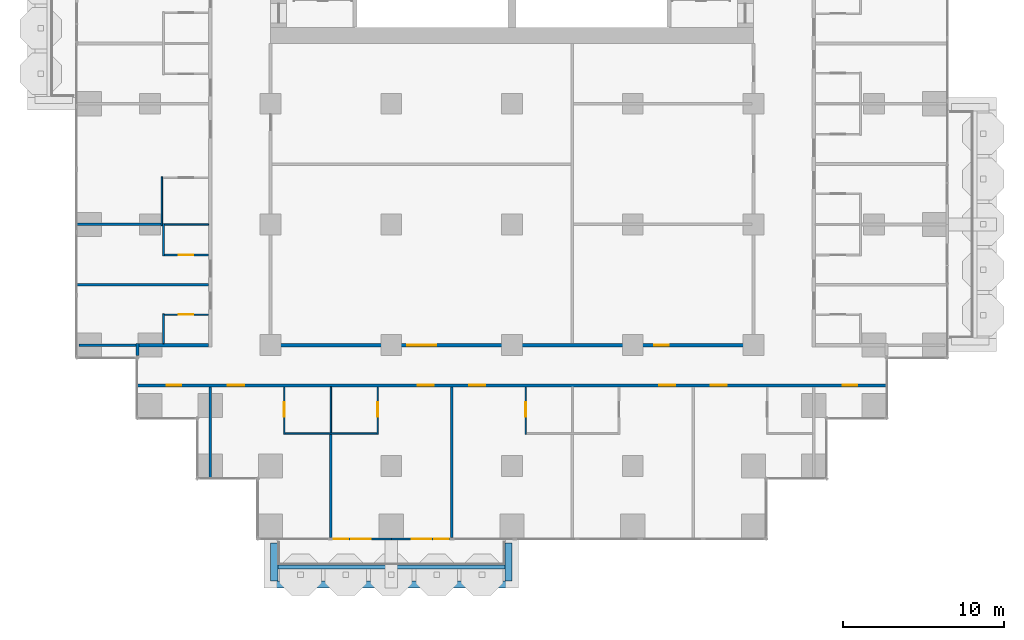
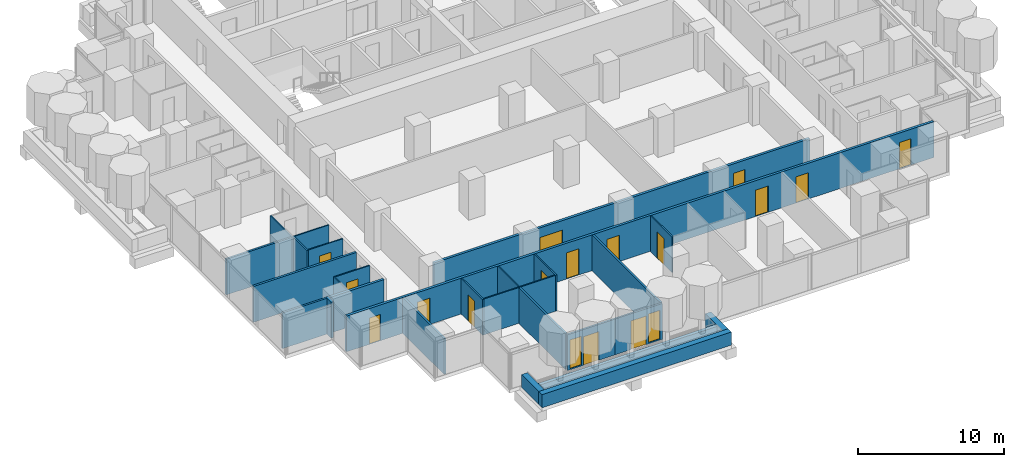
# One storey, part 10 of 18: 27 walls, 16 doors, 2 windows, 18 openings.
"""IFC4 building model written with IfcOpenShell, lengths in metres."""

import ifcopenshell
import ifcopenshell.guid

model = None  # the IFC model being written
_history = None  # IfcOwnerHistory: only IFC2X3 demands one
_inside = {}  # id of a spatial element -> (the spatial element, [elements in it])
_under = {}  # id of a project, library or spatial element -> (it, [spatial elements below it])
_declared = {}  # id of a project -> (the project, [libraries it declares])
_typed = {}  # id of a type object -> (the type object, [elements of that type])
_made_of = {}  # id of a material, layer set ... -> (it, [elements and type objects made of it])


def new_model(schema):
    """Start an empty IFC model of exactly this schema.

    Asked for "IFC4X3", IfcOpenShell would pick the latest addendum, in which some entities
    have other attributes; the version numbers below select the first issue.
    IFC2X3 requires an IfcOwnerHistory on every rooted entity: one is made here for all.
    """
    global model, _history
    if schema == "IFC4X3":
        model = ifcopenshell.file(schema_version=(4, 3, 0, 0))
    else:
        model = ifcopenshell.file(schema=schema)
    _inside.clear()
    _under.clear()
    _declared.clear()
    _typed.clear()
    _made_of.clear()
    _history = None
    if model.schema == "IFC2X3":
        org = make("IfcOrganization", Name="unknown")
        user = make(
            "IfcPersonAndOrganization",
            ThePerson=make("IfcPerson", FamilyName="unknown"),
            TheOrganization=org,
        )
        app = make(
            "IfcApplication",
            ApplicationDeveloper=org,
            Version="unknown",
            ApplicationFullName="unknown",
            ApplicationIdentifier="unknown",
        )
        _history = make(
            "IfcOwnerHistory",
            OwningUser=user,
            OwningApplication=app,
            ChangeAction="ADDED",
            CreationDate=0,
        )
    return model


def make(cls, **values):
    """One entity of the class cls with the attributes given. An attribute that is None is left unset."""
    return model.create_entity(
        cls, **{name: value for name, value in values.items() if value is not None}
    )


def rooted(cls, **values):
    """An entity with a GlobalId (a new one), such as an element, a storey or a relation."""
    return make(cls, GlobalId=ifcopenshell.guid.new(), OwnerHistory=_history, **values)


def si_unit(unit_type, name, prefix=None):
    """IfcSIUnit, for example si_unit("LENGTHUNIT", "METRE", prefix="MILLI")."""
    return make("IfcSIUnit", UnitType=unit_type, Prefix=prefix, Name=name)


def assignment(units):
    """IfcUnitAssignment: the units of a project."""
    return None if units is None else make("IfcUnitAssignment", Units=units)


def point(xyz):
    """IfcCartesianPoint."""
    return None if xyz is None else make("IfcCartesianPoint", Coordinates=xyz)


def direction(xyz):
    """IfcDirection."""
    return None if xyz is None else make("IfcDirection", DirectionRatios=xyz)


def frame(location, z_axis=None, x_axis=None):
    """IfcAxis2Placement3D, a coordinate frame: its origin and axes. An axis left out is left unset."""
    return make(
        "IfcAxis2Placement3D",
        Location=point(location),
        Axis=direction(z_axis),
        RefDirection=direction(x_axis),
    )


def frame_2d(location, x_axis=None):
    """IfcAxis2Placement2D, a coordinate frame in the plane: its origin and x axis."""
    return make(
        "IfcAxis2Placement2D", Location=point(location), RefDirection=direction(x_axis)
    )


def origin():
    """The frame at (0, 0, 0) with its axes left unset."""
    return frame((0.0, 0.0, 0.0))


def place(relative_to, where):
    """IfcLocalPlacement: puts the frame where relative to a parent placement (None: the world)."""
    return make(
        "IfcLocalPlacement", PlacementRelTo=relative_to, RelativePlacement=where
    )


def context(
    kind, dimensions, precision=None, world=None, true_north=None, identifier=None
):
    """IfcGeometricRepresentationContext, for example the 3D "Model" context."""
    return make(
        "IfcGeometricRepresentationContext",
        ContextIdentifier=identifier,
        ContextType=kind,
        CoordinateSpaceDimension=dimensions,
        Precision=precision,
        WorldCoordinateSystem=world,
        TrueNorth=true_north,
    )


def subcontext(parent, identifier, kind, view, scale=None):
    """IfcGeometricRepresentationSubContext, for example "Body" below "Model"."""
    return make(
        "IfcGeometricRepresentationSubContext",
        ContextIdentifier=identifier,
        ContextType=kind,
        ParentContext=parent,
        TargetScale=scale,
        TargetView=view,
    )


def project(units=None, contexts=None):
    """IfcProject with its units and contexts."""
    return rooted(
        "IfcProject",
        Name="project",
        RepresentationContexts=contexts,
        UnitsInContext=assignment(units),
    )


def spatial(cls, under=None, at=None, **own):
    """A site, building, storey or space (cls), placed at a placement, below another one or the project."""
    s = rooted(cls, ObjectPlacement=at, **own)
    if under is not None:
        _under.setdefault(under.id(), (under, []))[1].append(s)
    return s


def profile(cls, at=None, kind="AREA", **sizes):
    """A parametric profile (cls). Its sizes go by their IFC names, for example OverallWidth=200.0."""
    return make(cls, ProfileType=kind, Position=at, **sizes)


def rectangle(**sizes):
    """IfcRectangleProfileDef."""
    return profile("IfcRectangleProfileDef", **sizes)


def extrude(swept, where, along, depth):
    """IfcExtrudedAreaSolid: the profile swept, set in the frame where, extruded along a direction by depth."""
    return make(
        "IfcExtrudedAreaSolid",
        SweptArea=swept,
        Position=where,
        ExtrudedDirection=direction(along),
        Depth=depth,
    )


def shape(context_of_items, identifier, shape_type, items):
    """IfcShapeRepresentation: the items that make up one representation, for example the "Body"."""
    return make(
        "IfcShapeRepresentation",
        ContextOfItems=context_of_items,
        RepresentationIdentifier=identifier,
        RepresentationType=shape_type,
        Items=items,
    )


def material(Name=None, Category=None):
    """IfcMaterial."""
    return make("IfcMaterial", Name=Name, Category=Category)


def layer(
    of_material, thickness, ventilated=None, Name=None, Category=None, Priority=None
):
    """IfcMaterialLayer: one layer of a wall or slab, of a material (None: an air gap)."""
    return make(
        "IfcMaterialLayer",
        Material=of_material,
        LayerThickness=thickness,
        IsVentilated=ventilated,
        Name=Name,
        Category=Category,
        Priority=Priority,
    )


def layer_set(layers, Name=None):
    """IfcMaterialLayerSet."""
    return make("IfcMaterialLayerSet", MaterialLayers=layers, LayerSetName=Name)


def made_of(thing, what):
    """Note that an element or type object is made of a material, layer set ...; save() writes the relation."""
    if what is not None:
        _made_of.setdefault(what.id(), (what, []))[1].append(thing)
    return thing


def type_object(cls, material=None, **own):
    """A type object (cls), such as IfcWallType, which elements share."""
    return made_of(rooted(cls, **own), material)


def element(
    cls,
    number,
    at=None,
    inside=None,
    cuts=None,
    type_object=None,
    material=None,
    context=None,
    identifier="Body",
    shape_type=None,
    held_by="IfcProductDefinitionShape",
    body=None,
    shapes=None,
    **own,
):
    """One element of the class cls, such as IfcWall. Its Tag is "e" and its number.

    at: its placement. inside: the storey or other place that contains it. cuts: it is an
    opening in that element (IfcRelVoidsElement). A single representation is given by context,
    identifier, shape_type and body (its items); several are given by shapes. held_by: the class
    of the entity that holds the representations. save() writes the other relations.
    """
    e = rooted(cls, Tag="e%d" % number, ObjectPlacement=at, **own)
    if body is not None:
        shapes = [shape(context, identifier, shape_type, body)]
    if shapes is not None:
        e.Representation = make(held_by, Representations=shapes)
    if inside is not None:
        _inside.setdefault(inside.id(), (inside, []))[1].append(e)
    if cuts is not None:
        rooted(
            "IfcRelVoidsElement", RelatingBuildingElement=cuts, RelatedOpeningElement=e
        )
    if type_object is not None:
        _typed.setdefault(type_object.id(), (type_object, []))[1].append(e)
    return made_of(e, material)


def fill(opening, filler):
    """IfcRelFillsElement: the door or window that sits in an opening."""
    return rooted(
        "IfcRelFillsElement",
        RelatingOpeningElement=opening,
        RelatedBuildingElement=filler,
    )


def aggregate(whole, parts):
    """IfcRelAggregates: a whole, such as a stair, and the parts it consists of."""
    return rooted("IfcRelAggregates", RelatingObject=whole, RelatedObjects=parts)


def save(model, path):
    """Write the relations noted so far, then the file.

    IfcRelAggregates (storeys below a building ...), IfcRelContainedInSpatialStructure (elements
    in a storey), IfcRelDefinesByType, IfcRelAssociatesMaterial and IfcRelDeclares: one each for
    every whole, place, type object, material and project.
    """
    for whole, parts in _under.values():
        aggregate(whole, parts)
    for where, things in _inside.values():
        rooted(
            "IfcRelContainedInSpatialStructure",
            RelatedElements=things,
            RelatingStructure=where,
        )
    for kind, things in _typed.values():
        rooted("IfcRelDefinesByType", RelatedObjects=things, RelatingType=kind)
    for what, things in _made_of.values():
        rooted("IfcRelAssociatesMaterial", RelatedObjects=things, RelatingMaterial=what)
    for by, libraries in _declared.values():
        rooted("IfcRelDeclares", RelatingContext=by, RelatedDefinitions=libraries)
    model.write(path)


model = new_model("IFC4")

# Units and contexts
model_context = context("Model", 3, precision=1e-05, world=origin(), true_north=direction((0.0, 1.0)))
body_context = subcontext(model_context, "Body", "Model", "MODEL_VIEW")
ifc_project = project(units=[si_unit("LENGTHUNIT", "METRE"), si_unit("AREAUNIT", "SQUARE_METRE"), si_unit("VOLUMEUNIT", "CUBIC_METRE"), si_unit("PLANEANGLEUNIT", "RADIAN"), si_unit("MASSUNIT", "GRAM", prefix="KILO")], contexts=[model_context])

# Site, building, storey
site_placement = place(None, origin())
site = spatial("IfcSite", under=ifc_project, at=site_placement, CompositionType="ELEMENT")
building_placement = place(site_placement, origin())
building = spatial("IfcBuilding", under=site, at=building_placement, Name="Pilkhan Gate Tower", CompositionType="ELEMENT")
storey_placement = place(building_placement, frame((0.0, 0.0, 82.39990234375)))
storey = spatial("IfcBuildingStorey", under=building, at=storey_placement, Name="L19", CompositionType="ELEMENT", Elevation=82.39990234375)

# Walls
ifc_material_1 = material(Name="Dense blockwork", Category="masonry")
ifc_layer_1 = layer(ifc_material_1, 0.175048828125)
ifc_layer_set_1 = layer_set([ifc_layer_1], Name="Acoustic party wall PW175")
wall_type_1 = type_object("IfcWallType", Name="Acoustic party wall PW175", PredefinedType="PARTITIONING", material=ifc_layer_set_1)
wall_1_placement = place(storey_placement, frame((47.985107421875, 56.25, 0.0), z_axis=(0.0, 0.0, 1.0), x_axis=(1.0, 0.0, 0.0)))
element("IfcWall", 1, at=wall_1_placement, inside=storey, type_object=wall_type_1, Name="Partition L19", PredefinedType="PARTITIONING", context=body_context, shape_type="SweptSolid", body=[
    extrude(rectangle(XDim=8.164794921875, YDim=0.175048828125, at=frame_2d((4.08251953125, 0.0))), origin(), (0.0, 0.0, 1.0), 3.0),
])
ifc_material_2 = material(Name="Concrete C40/50", Category="concrete")
ifc_layer_2 = layer(ifc_material_2, 0.25)
ifc_layer_set_2 = layer_set([ifc_layer_2], Name="Balcony planter BP250")
wall_type_2 = type_object("IfcWallType", Name="Balcony planter BP250", PredefinedType="USERDEFINED", material=ifc_layer_set_2)
wall_2_placement = place(storey_placement, frame((60.449951171875, 38.72509765625, 0.0), z_axis=(0.0, 0.0, 1.0), x_axis=(1.0, 0.0, 0.0)))
element("IfcWall", 2, at=wall_2_placement, inside=storey, type_object=wall_type_2, Name="Balcony planter L19 S", ObjectType="BALCONY PLANTER", PredefinedType="USERDEFINED", context=body_context, shape_type="SweptSolid", body=[
    extrude(rectangle(XDim=14.10009765625, YDim=0.25, at=frame_2d((7.050048828125, 0.0))), origin(), (0.0, 0.0, 1.0), 1.0),
])
ifc_material_3 = material(Name="Board-marked Concrete C40/50", Category="concrete")
ifc_layer_3 = layer(ifc_material_3, 0.449951171875)
ifc_layer_set_3 = layer_set([ifc_layer_3], Name="Balcony planter lip BL450")
wall_type_3 = type_object("IfcWallType", Name="Balcony planter lip BL450", PredefinedType="USERDEFINED", material=ifc_layer_set_3)
wall_3_placement = place(storey_placement, frame((60.0, 37.625, 0.0), z_axis=(0.0, 0.0, 1.0), x_axis=(1.0, 0.0, 0.0)))
element("IfcWall", 3, at=wall_3_placement, inside=storey, type_object=wall_type_3, Name="Balcony planter L19 S", ObjectType="BALCONY PLANTER", PredefinedType="USERDEFINED", context=body_context, shape_type="SweptSolid", body=[
    extrude(rectangle(XDim=15.0, YDim=0.449951171875, at=frame_2d((7.5, 0.0))), origin(), (0.0, 0.0, 1.0), 1.10009765625),
])
for number, where, z_axis, x_axis, name in (
    (4, (60.22509765625, 40.199951171875, 0.0), (0.0, 0.0, 1.0), (0.0, -1.0, 0.0), "Balcony planter L19 S"),
    (5, (74.77490234375, 40.199951171875, 0.0), (0.0, 0.0, 1.0), (0.0, -1.0, 0.0), "Balcony planter L19 S"),
):
    element("IfcWall", number, at=place(storey_placement, frame(where, z_axis=z_axis, x_axis=x_axis)), inside=storey, type_object=wall_type_3, Name=name, ObjectType="BALCONY PLANTER", PredefinedType="USERDEFINED", context=body_context, shape_type="SweptSolid", body=[
        extrude(rectangle(XDim=2.349853515625, YDim=0.449951171875, at=frame_2d((1.1748046875, 0.0))), origin(), (0.0, 0.0, 1.0), 1.10009765625),
    ])

# Wall, openings, doors
ifc_layer_4 = layer(ifc_material_1, 0.199951171875)
ifc_layer_set_4 = layer_set([ifc_layer_4], Name="Corridor wall FW200")
wall_type_4 = type_object("IfcWallType", Name="Corridor wall FW200", PredefinedType="PARTITIONING", material=ifc_layer_set_4)
wall_4_placement = place(storey_placement, frame((51.735107421875, 50.0, 0.0), z_axis=(0.0, 0.0, 1.0), x_axis=(1.0, 0.0, 0.0)))
wall_4 = element("IfcWall", 6, at=wall_4_placement, inside=storey, type_object=wall_type_4, Name="Partition L19", PredefinedType="PARTITIONING", context=body_context, shape_type="SweptSolid", body=[
    extrude(rectangle(XDim=46.52978515625, YDim=0.199951171875, at=frame_2d((23.264892578125, 0.0))), origin(), (0.0, 0.0, 1.0), 3.0),
])
opening_1_placement = place(wall_4_placement, frame((5.614990234375, 0.0, 0.0)))
opening_1 = element("IfcOpeningElement", 7, at=opening_1_placement, cuts=wall_4, Name="Opening L19-06", PredefinedType="OPENING", context=body_context, shape_type="SweptSolid", body=[
    extrude(rectangle(XDim=1.0, YDim=2.199951171875, at=frame_2d((0.5, 1.10009765625))), frame((0.0, 0.10986328125, 0.0), z_axis=(0.0, -1.0, 0.0), x_axis=(1.0, 0.0, 0.0)), (0.0, 0.0, 1.0), 0.219970703125),
])
opening_2_placement = place(wall_4_placement, frame((17.4150390625, 0.0, 0.0)))
opening_2 = element("IfcOpeningElement", 8, at=opening_2_placement, cuts=wall_4, Name="Opening L19-08", PredefinedType="OPENING", context=body_context, shape_type="SweptSolid", body=[
    extrude(rectangle(XDim=1.0, YDim=2.199951171875, at=frame_2d((0.5, 1.10009765625))), frame((0.0, 0.10986328125, 0.0), z_axis=(0.0, -1.0, 0.0), x_axis=(1.0, 0.0, 0.0)), (0.0, 0.0, 1.0), 0.219970703125),
])
opening_3_placement = place(wall_4_placement, frame((20.614990234375, 0.0, 0.0)))
opening_3 = element("IfcOpeningElement", 9, at=opening_3_placement, cuts=wall_4, Name="Opening L19-10", PredefinedType="OPENING", context=body_context, shape_type="SweptSolid", body=[
    extrude(rectangle(XDim=1.0, YDim=2.199951171875, at=frame_2d((0.5, 1.10009765625))), frame((0.0, 0.10986328125, 0.0), z_axis=(0.0, -1.0, 0.0), x_axis=(1.0, 0.0, 0.0)), (0.0, 0.0, 1.0), 0.219970703125),
])
opening_4_placement = place(wall_4_placement, frame((32.4150390625, 0.0, 0.0)))
opening_4 = element("IfcOpeningElement", 10, at=opening_4_placement, cuts=wall_4, Name="Opening L19-12", PredefinedType="OPENING", context=body_context, shape_type="SweptSolid", body=[
    extrude(rectangle(XDim=1.0, YDim=2.199951171875, at=frame_2d((0.5, 1.10009765625))), frame((0.0, 0.10986328125, 0.0), z_axis=(0.0, -1.0, 0.0), x_axis=(1.0, 0.0, 0.0)), (0.0, 0.0, 1.0), 0.219970703125),
])
opening_5_placement = place(wall_4_placement, frame((35.614990234375, 0.0, 0.0)))
opening_5 = element("IfcOpeningElement", 11, at=opening_5_placement, cuts=wall_4, Name="Opening L19-14", PredefinedType="OPENING", context=body_context, shape_type="SweptSolid", body=[
    extrude(rectangle(XDim=1.0, YDim=2.199951171875, at=frame_2d((0.5, 1.10009765625))), frame((0.0, 0.10986328125, 0.0), z_axis=(0.0, -1.0, 0.0), x_axis=(1.0, 0.0, 0.0)), (0.0, 0.0, 1.0), 0.219970703125),
])
opening_6_placement = place(wall_4_placement, frame((1.800048828125, 0.0, 0.0)))
opening_6 = element("IfcOpeningElement", 12, at=opening_6_placement, cuts=wall_4, Name="Opening L19-50", PredefinedType="OPENING", context=body_context, shape_type="SweptSolid", body=[
    extrude(rectangle(XDim=0.89990234375, YDim=2.199951171875, at=frame_2d((0.449951171875, 1.10009765625))), frame((0.0, 0.10986328125, 0.0), z_axis=(0.0, -1.0, 0.0), x_axis=(1.0, 0.0, 0.0)), (0.0, 0.0, 1.0), 0.219970703125),
])
opening_7_placement = place(wall_4_placement, frame((43.81494140625, 0.0, 0.0)))
opening_7 = element("IfcOpeningElement", 13, at=opening_7_placement, cuts=wall_4, Name="Opening L19-51", PredefinedType="OPENING", context=body_context, shape_type="SweptSolid", body=[
    extrude(rectangle(XDim=0.89990234375, YDim=2.199951171875, at=frame_2d((0.449951171875, 1.10009765625))), frame((0.0, 0.10986328125, 0.0), z_axis=(0.0, -1.0, 0.0), x_axis=(1.0, 0.0, 0.0)), (0.0, 0.0, 1.0), 0.219970703125),
])
ifc_material_4 = material(Name="Timber flush door, 30 minute fire resisting", Category="wood")
door_type_1 = type_object("IfcDoorType", Name="Guest room door D01 1000x2200", OperationType="SINGLE_SWING_LEFT", PredefinedType="DOOR", material=ifc_material_4)
door_1_placement = place(opening_1_placement, origin())
door_1 = element("IfcDoor", 14, at=door_1_placement, inside=storey, type_object=door_type_1, Name="Guest room door", OperationType="SINGLE_SWING_RIGHT", OverallHeight=2.199951171875, OverallWidth=1.0, PredefinedType="DOOR", context=body_context, shape_type="SweptSolid", body=[
    extrude(rectangle(XDim=1.0, YDim=2.199951171875, at=frame_2d((0.5, 1.10009765625))), frame((0.0, 0.02490234375, 0.0), z_axis=(0.0, -1.0, 0.0), x_axis=(1.0, 0.0, 0.0)), (0.0, 0.0, 1.0), 0.050048828125),
])
fill(opening_1, door_1)
door_2_placement = place(opening_2_placement, origin())
door_2 = element("IfcDoor", 15, at=door_2_placement, inside=storey, type_object=door_type_1, Name="Guest room door", OperationType="SINGLE_SWING_LEFT", OverallHeight=2.199951171875, OverallWidth=1.0, PredefinedType="DOOR", context=body_context, shape_type="SweptSolid", body=[
    extrude(rectangle(XDim=1.0, YDim=2.199951171875, at=frame_2d((0.5, 1.10009765625))), frame((0.0, 0.02490234375, 0.0), z_axis=(0.0, -1.0, 0.0), x_axis=(1.0, 0.0, 0.0)), (0.0, 0.0, 1.0), 0.050048828125),
])
fill(opening_2, door_2)
door_3_placement = place(opening_3_placement, origin())
door_3 = element("IfcDoor", 16, at=door_3_placement, inside=storey, type_object=door_type_1, Name="Guest room door", OperationType="SINGLE_SWING_RIGHT", OverallHeight=2.199951171875, OverallWidth=1.0, PredefinedType="DOOR", context=body_context, shape_type="SweptSolid", body=[
    extrude(rectangle(XDim=1.0, YDim=2.199951171875, at=frame_2d((0.5, 1.10009765625))), frame((0.0, 0.02490234375, 0.0), z_axis=(0.0, -1.0, 0.0), x_axis=(1.0, 0.0, 0.0)), (0.0, 0.0, 1.0), 0.050048828125),
])
fill(opening_3, door_3)
door_4_placement = place(opening_4_placement, origin())
door_4 = element("IfcDoor", 17, at=door_4_placement, inside=storey, type_object=door_type_1, Name="Guest room door", OperationType="SINGLE_SWING_LEFT", OverallHeight=2.199951171875, OverallWidth=1.0, PredefinedType="DOOR", context=body_context, shape_type="SweptSolid", body=[
    extrude(rectangle(XDim=1.0, YDim=2.199951171875, at=frame_2d((0.5, 1.10009765625))), frame((0.0, 0.02490234375, 0.0), z_axis=(0.0, -1.0, 0.0), x_axis=(1.0, 0.0, 0.0)), (0.0, 0.0, 1.0), 0.050048828125),
])
fill(opening_4, door_4)
door_5_placement = place(opening_5_placement, origin())
door_5 = element("IfcDoor", 18, at=door_5_placement, inside=storey, type_object=door_type_1, Name="Guest room door", OperationType="SINGLE_SWING_LEFT", OverallHeight=2.199951171875, OverallWidth=1.0, PredefinedType="DOOR", context=body_context, shape_type="SweptSolid", body=[
    extrude(rectangle(XDim=1.0, YDim=2.199951171875, at=frame_2d((0.5, 1.10009765625))), frame((0.0, 0.02490234375, 0.0), z_axis=(0.0, -1.0, 0.0), x_axis=(1.0, 0.0, 0.0)), (0.0, 0.0, 1.0), 0.050048828125),
])
fill(opening_5, door_5)
ifc_material_5 = material(Name="Timber flush door, 60 minute fire resisting, self-closing", Category="wood")
door_type_2 = type_object("IfcDoorType", Name="Store door D05 900x2200", OperationType="SINGLE_SWING_LEFT", PredefinedType="DOOR", material=ifc_material_5)
door_6_placement = place(opening_6_placement, origin())
door_6 = element("IfcDoor", 19, at=door_6_placement, inside=storey, type_object=door_type_2, Name="Store door", OperationType="SINGLE_SWING_LEFT", OverallHeight=2.199951171875, OverallWidth=0.89990234375, PredefinedType="DOOR", context=body_context, shape_type="SweptSolid", body=[
    extrude(rectangle(XDim=0.89990234375, YDim=2.199951171875, at=frame_2d((0.449951171875, 1.10009765625))), frame((0.0, 0.02490234375, 0.0), z_axis=(0.0, -1.0, 0.0), x_axis=(1.0, 0.0, 0.0)), (0.0, 0.0, 1.0), 0.050048828125),
])
fill(opening_6, door_6)
door_7_placement = place(opening_7_placement, origin())
door_7 = element("IfcDoor", 20, at=door_7_placement, inside=storey, type_object=door_type_2, Name="Store door", OperationType="SINGLE_SWING_RIGHT", OverallHeight=2.199951171875, OverallWidth=0.89990234375, PredefinedType="DOOR", context=body_context, shape_type="SweptSolid", body=[
    extrude(rectangle(XDim=0.89990234375, YDim=2.199951171875, at=frame_2d((0.449951171875, 1.10009765625))), frame((0.0, 0.02490234375, 0.0), z_axis=(0.0, -1.0, 0.0), x_axis=(1.0, 0.0, 0.0)), (0.0, 0.0, 1.0), 0.050048828125),
])
fill(opening_7, door_7)

# Wall
wall_5_placement = place(storey_placement, frame((51.8349609375, 52.5, 0.0), z_axis=(0.0, 0.0, 1.0), x_axis=(1.0, 0.0, 0.0)))
element("IfcWall", 21, at=wall_5_placement, inside=storey, type_object=wall_type_4, Name="Partition L19", PredefinedType="PARTITIONING", context=body_context, shape_type="SweptSolid", body=[
    extrude(rectangle(XDim=4.31494140625, YDim=0.199951171875, at=frame_2d((2.157470703125, 0.0))), origin(), (0.0, 0.0, 1.0), 3.0),
])

# Wall, openings, doors
wall_6_placement = place(storey_placement, frame((60.10009765625, 52.5, 0.0), z_axis=(0.0, 0.0, 1.0), x_axis=(1.0, 0.0, 0.0)))
wall_6 = element("IfcWall", 22, at=wall_6_placement, inside=storey, type_object=wall_type_4, Name="Partition L19", PredefinedType="PARTITIONING", context=body_context, shape_type="SweptSolid", body=[
    extrude(rectangle(XDim=29.7998046875, YDim=0.199951171875, at=frame_2d((14.89990234375, 0.0))), origin(), (0.0, 0.0, 1.0), 3.0),
])
opening_8_placement = place(wall_6_placement, frame((8.39990234375, 0.0, 0.0)))
opening_8 = element("IfcOpeningElement", 23, at=opening_8_placement, cuts=wall_6, Name="Opening L19-55", PredefinedType="OPENING", context=body_context, shape_type="SweptSolid", body=[
    extrude(rectangle(XDim=1.800048828125, YDim=2.199951171875, at=frame_2d((0.89990234375, 1.10009765625))), frame((0.0, 0.10986328125, 0.0), z_axis=(0.0, -1.0, 0.0), x_axis=(1.0, 0.0, 0.0)), (0.0, 0.0, 1.0), 0.219970703125),
])
opening_9_placement = place(wall_6_placement, frame((23.75, 0.0, 0.0)))
opening_9 = element("IfcOpeningElement", 24, at=opening_9_placement, cuts=wall_6, Name="Opening L19-56", PredefinedType="OPENING", context=body_context, shape_type="SweptSolid", body=[
    extrude(rectangle(XDim=0.89990234375, YDim=2.199951171875, at=frame_2d((0.449951171875, 1.10009765625))), frame((0.0, 0.10986328125, 0.0), z_axis=(0.0, -1.0, 0.0), x_axis=(1.0, 0.0, 0.0)), (0.0, 0.0, 1.0), 0.219970703125),
])
ifc_material_6 = material(Name="Timber glazed double door, 30 minute fire resisting", Category="wood")
door_type_3 = type_object("IfcDoorType", Name="Double door D04 1800x2200", OperationType="DOUBLE_DOOR_SINGLE_SWING", PredefinedType="DOOR", material=ifc_material_6)
door_8_placement = place(opening_8_placement, origin())
door_8 = element("IfcDoor", 25, at=door_8_placement, inside=storey, type_object=door_type_3, Name="Double door", OperationType="DOUBLE_DOOR_SINGLE_SWING", OverallHeight=2.199951171875, OverallWidth=1.800048828125, PredefinedType="DOOR", context=body_context, shape_type="SweptSolid", body=[
    extrude(rectangle(XDim=1.800048828125, YDim=2.199951171875, at=frame_2d((0.89990234375, 1.10009765625))), frame((0.0, 0.02490234375, 0.0), z_axis=(0.0, -1.0, 0.0), x_axis=(1.0, 0.0, 0.0)), (0.0, 0.0, 1.0), 0.050048828125),
])
fill(opening_8, door_8)
door_9_placement = place(opening_9_placement, origin())
door_9 = element("IfcDoor", 26, at=door_9_placement, inside=storey, type_object=door_type_2, Name="Store door", OperationType="SINGLE_SWING_LEFT", OverallHeight=2.199951171875, OverallWidth=0.89990234375, PredefinedType="DOOR", context=body_context, shape_type="SweptSolid", body=[
    extrude(rectangle(XDim=0.89990234375, YDim=2.199951171875, at=frame_2d((0.449951171875, 1.10009765625))), frame((0.0, 0.02490234375, 0.0), z_axis=(0.0, -1.0, 0.0), x_axis=(1.0, 0.0, 0.0)), (0.0, 0.0, 1.0), 0.050048828125),
])
fill(opening_9, door_9)

# Wall
wall_7_placement = place(storey_placement, frame((51.735107421875, 51.85498046875, 0.0), z_axis=(0.0, 0.0, 1.0), x_axis=(0.0, 1.0, 0.0)))
element("IfcWall", 27, at=wall_7_placement, inside=storey, type_object=wall_type_4, Name="Partition L19", PredefinedType="PARTITIONING", context=body_context, shape_type="SweptSolid", body=[
    extrude(rectangle(XDim=0.7451171875, YDim=0.199951171875, at=frame_2d((0.37255859375, 0.0))), origin(), (0.0, 0.0, 1.0), 3.0),
])

# Wall, openings, door, window
ifc_material_7 = material(Name="Pale anodised aluminium, clear laminated glazing", Category="aluminium")
ifc_layer_5 = layer(ifc_material_7, 0.14990234375)
ifc_layer_set_5 = layer_set([ifc_layer_5], Name="Facade infill wall IW150")
wall_type_5 = type_object("IfcWallType", Name="Facade infill wall IW150", PredefinedType="SOLIDWALL", material=ifc_layer_set_5)
wall_8_placement = place(storey_placement, frame((63.75, 40.455078125, 0.0), z_axis=(0.0, 0.0, 1.0), x_axis=(1.0, 0.0, 0.0)))
wall_8 = element("IfcWall", 28, at=wall_8_placement, inside=storey, type_object=wall_type_5, Name="Infill wall L19 S", PredefinedType="SOLIDWALL", context=body_context, shape_type="SweptSolid", body=[
    extrude(rectangle(XDim=3.75, YDim=0.14990234375, at=frame_2d((1.875, 0.0))), origin(), (0.0, 0.0, 1.0), 3.0),
])
opening_10_placement = place(wall_8_placement, frame((0.1875, 0.0, 0.10009765625)))
opening_10 = element("IfcOpeningElement", 29, at=opening_10_placement, cuts=wall_8, Name="Opening W1", PredefinedType="OPENING", context=body_context, shape_type="SweptSolid", body=[
    extrude(rectangle(XDim=0.89990234375, YDim=2.39990234375, at=frame_2d((0.449951171875, 1.199951171875))), frame((0.0, 0.0849609375, 0.0), z_axis=(0.0, -1.0, 0.0), x_axis=(1.0, 0.0, 0.0)), (0.0, 0.0, 1.0), 0.169921875),
])
opening_11_placement = place(wall_8_placement, frame((1.27490234375, 0.0, 0.0)))
opening_11 = element("IfcOpeningElement", 30, at=opening_11_placement, cuts=wall_8, Name="Opening D1", PredefinedType="OPENING", context=body_context, shape_type="SweptSolid", body=[
    extrude(rectangle(XDim=1.199951171875, YDim=2.39990234375, at=frame_2d((0.60009765625, 1.199951171875))), frame((0.0, 0.0849609375, 0.0), z_axis=(0.0, -1.0, 0.0), x_axis=(1.0, 0.0, 0.0)), (0.0, 0.0, 1.0), 0.169921875),
])
ifc_material_8 = material(Name="Pale anodised aluminium, clear glazing", Category="aluminium")
door_type_4 = type_object("IfcDoorType", Name="Balcony door D1 1200x2400", OperationType="SINGLE_SWING_LEFT", PredefinedType="DOOR", material=ifc_material_8)
door_10_placement = place(opening_11_placement, origin())
door_10 = element("IfcDoor", 31, at=door_10_placement, inside=storey, type_object=door_type_4, Name="Balcony door L19", OperationType="SINGLE_SWING_LEFT", OverallHeight=2.39990234375, OverallWidth=1.199951171875, PredefinedType="DOOR", context=body_context, shape_type="SweptSolid", body=[
    extrude(rectangle(XDim=1.199951171875, YDim=2.39990234375, at=frame_2d((0.60009765625, 1.199951171875))), frame((0.0, 0.02490234375, 0.0), z_axis=(0.0, -1.0, 0.0), x_axis=(1.0, 0.0, 0.0)), (0.0, 0.0, 1.0), 0.050048828125),
])
fill(opening_11, door_10)
ifc_material_9 = material(Name="Pale anodised aluminium, clear double glazing", Category="aluminium")
window_type = type_object("IfcWindowType", Name="Window W1 900x2400", PartitioningType="SINGLE_PANEL", PredefinedType="WINDOW", material=ifc_material_9)
window_1_placement = place(opening_10_placement, origin())
window_1 = element("IfcWindow", 32, at=window_1_placement, inside=storey, type_object=window_type, Name="Window L19", OverallHeight=2.39990234375, OverallWidth=0.89990234375, PartitioningType="SINGLE_PANEL", PredefinedType="WINDOW", context=body_context, shape_type="SweptSolid", body=[
    extrude(rectangle(XDim=0.89990234375, YDim=2.39990234375, at=frame_2d((0.449951171875, 1.199951171875))), frame((0.0, 0.030029296875, 0.0), z_axis=(0.0, -1.0, 0.0), x_axis=(1.0, 0.0, 0.0)), (0.0, 0.0, 1.0), 0.06005859375),
])
fill(opening_10, window_1)

wall_9_placement = place(storey_placement, frame((67.5, 40.455078125, 0.0), z_axis=(0.0, 0.0, 1.0), x_axis=(1.0, 0.0, 0.0)))
wall_9 = element("IfcWall", 33, at=wall_9_placement, inside=storey, type_object=wall_type_5, Name="Infill wall L19 S", PredefinedType="SOLIDWALL", context=body_context, shape_type="SweptSolid", body=[
    extrude(rectangle(XDim=3.75, YDim=0.14990234375, at=frame_2d((1.875, 0.0))), origin(), (0.0, 0.0, 1.0), 3.0),
])
opening_12_placement = place(wall_9_placement, frame((1.27490234375, 0.0, 0.0)))
opening_12 = element("IfcOpeningElement", 34, at=opening_12_placement, cuts=wall_9, Name="Opening D1", PredefinedType="OPENING", context=body_context, shape_type="SweptSolid", body=[
    extrude(rectangle(XDim=1.199951171875, YDim=2.39990234375, at=frame_2d((0.60009765625, 1.199951171875))), frame((0.0, 0.0849609375, 0.0), z_axis=(0.0, -1.0, 0.0), x_axis=(1.0, 0.0, 0.0)), (0.0, 0.0, 1.0), 0.169921875),
])
opening_13_placement = place(wall_9_placement, frame((2.66259765625, 0.0, 0.10009765625)))
opening_13 = element("IfcOpeningElement", 35, at=opening_13_placement, cuts=wall_9, Name="Opening W1", PredefinedType="OPENING", context=body_context, shape_type="SweptSolid", body=[
    extrude(rectangle(XDim=0.89990234375, YDim=2.39990234375, at=frame_2d((0.449951171875, 1.199951171875))), frame((0.0, 0.0849609375, 0.0), z_axis=(0.0, -1.0, 0.0), x_axis=(1.0, 0.0, 0.0)), (0.0, 0.0, 1.0), 0.169921875),
])
door_11_placement = place(opening_12_placement, origin())
door_11 = element("IfcDoor", 36, at=door_11_placement, inside=storey, type_object=door_type_4, Name="Balcony door L19", OperationType="SINGLE_SWING_LEFT", OverallHeight=2.39990234375, OverallWidth=1.199951171875, PredefinedType="DOOR", context=body_context, shape_type="SweptSolid", body=[
    extrude(rectangle(XDim=1.199951171875, YDim=2.39990234375, at=frame_2d((0.60009765625, 1.199951171875))), frame((0.0, 0.02490234375, 0.0), z_axis=(0.0, -1.0, 0.0), x_axis=(1.0, 0.0, 0.0)), (0.0, 0.0, 1.0), 0.050048828125),
])
fill(opening_12, door_11)
window_2_placement = place(opening_13_placement, origin())
window_2 = element("IfcWindow", 37, at=window_2_placement, inside=storey, type_object=window_type, Name="Window L19", OverallHeight=2.39990234375, OverallWidth=0.89990234375, PartitioningType="SINGLE_PANEL", PredefinedType="WINDOW", context=body_context, shape_type="SweptSolid", body=[
    extrude(rectangle(XDim=0.89990234375, YDim=2.39990234375, at=frame_2d((0.449951171875, 1.199951171875))), frame((0.0, 0.030029296875, 0.0), z_axis=(0.0, -1.0, 0.0), x_axis=(1.0, 0.0, 0.0)), (0.0, 0.0, 1.0), 0.06005859375),
])
fill(opening_13, window_2)

# Walls
ifc_material_10 = material(Name="Blockwork partition, plastered both sides", Category="masonry")
ifc_layer_6 = layer(ifc_material_10, 0.14990234375)
ifc_layer_set_6 = layer_set([ifc_layer_6], Name="Partition PW150")
wall_type_6 = type_object("IfcWallType", Name="Partition PW150", PredefinedType="PARTITIONING", material=ifc_layer_set_6)
wall_10_placement = place(storey_placement, frame((48.10498046875, 52.5, 0.0), z_axis=(0.0, 0.0, 1.0), x_axis=(1.0, 0.0, 0.0)))
element("IfcWall", 38, at=wall_10_placement, inside=storey, type_object=wall_type_6, Name="Partition L19", PredefinedType="PARTITIONING", context=body_context, shape_type="SweptSolid", body=[
    extrude(rectangle(XDim=3.530029296875, YDim=0.14990234375, at=frame_2d((1.76513671875, 0.0))), origin(), (0.0, 0.0, 1.0), 3.0),
])
wall_11_placement = place(storey_placement, frame((47.985107421875, 60.0, 0.0), z_axis=(0.0, 0.0, 1.0), x_axis=(1.0, 0.0, 0.0)))
element("IfcWall", 39, at=wall_11_placement, inside=storey, type_object=wall_type_6, Name="Partition L19", PredefinedType="PARTITIONING", context=body_context, shape_type="SweptSolid", body=[
    extrude(rectangle(XDim=5.21484375, YDim=0.14990234375, at=frame_2d((2.607421875, 0.0))), origin(), (0.0, 0.0, 1.0), 3.0),
])
wall_12_placement = place(storey_placement, frame((56.25, 44.235107421875, 0.0), z_axis=(0.0, 0.0, 1.0), x_axis=(0.0, 1.0, 0.0)))
element("IfcWall", 40, at=wall_12_placement, inside=storey, type_object=wall_type_6, Name="Partition L19", PredefinedType="PARTITIONING", context=body_context, shape_type="SweptSolid", body=[
    extrude(rectangle(XDim=5.664794921875, YDim=0.14990234375, at=frame_2d((2.83251953125, 0.0))), origin(), (0.0, 0.0, 1.0), 3.0),
])
wall_13_placement = place(storey_placement, frame((63.75, 40.5400390625, 0.0), z_axis=(0.0, 0.0, 1.0), x_axis=(0.0, 1.0, 0.0)))
element("IfcWall", 41, at=wall_13_placement, inside=storey, type_object=wall_type_6, Name="Partition L19", PredefinedType="PARTITIONING", context=body_context, shape_type="SweptSolid", body=[
    extrude(rectangle(XDim=6.409912109375, YDim=0.14990234375, at=frame_2d((3.205078125, 0.0))), origin(), (0.0, 0.0, 1.0), 3.0),
])
wall_14_placement = place(storey_placement, frame((71.25, 40.5400390625, 0.0), z_axis=(0.0, 0.0, 1.0), x_axis=(0.0, 1.0, 0.0)))
element("IfcWall", 42, at=wall_14_placement, inside=storey, type_object=wall_type_6, Name="Partition L19", PredefinedType="PARTITIONING", context=body_context, shape_type="SweptSolid", body=[
    extrude(rectangle(XDim=9.35986328125, YDim=0.14990234375, at=frame_2d((4.679931640625, 0.0))), origin(), (0.0, 0.0, 1.0), 3.0),
])
ifc_material_11 = material(Name="Moisture resistant board, tiled")
ifc_layer_7 = layer(ifc_material_11, 0.10009765625)
ifc_layer_set_7 = layer_set([ifc_layer_7], Name="Wet wall PW100")
wall_type_7 = type_object("IfcWallType", Name="Wet wall PW100", PredefinedType="PARTITIONING", material=ifc_layer_set_7)
wall_15_placement = place(storey_placement, frame((60.89990234375, 47.0, 0.0), z_axis=(0.0, 0.0, 1.0), x_axis=(1.0, 0.0, 0.0)))
element("IfcWall", 43, at=wall_15_placement, inside=storey, type_object=wall_type_7, Name="Partition L19", PredefinedType="PARTITIONING", context=body_context, shape_type="SweptSolid", body=[
    extrude(rectangle(XDim=5.7001953125, YDim=0.10009765625, at=frame_2d((2.85009765625, 0.0))), origin(), (0.0, 0.0, 1.0), 3.0),
])

# Wall, opening, door
wall_16_placement = place(storey_placement, frame((53.39990234375, 54.39990234375, 0.0), z_axis=(0.0, 0.0, 1.0), x_axis=(1.0, 0.0, 0.0)))
wall_16 = element("IfcWall", 44, at=wall_16_placement, inside=storey, type_object=wall_type_7, Name="Partition L19", PredefinedType="PARTITIONING", context=body_context, shape_type="SweptSolid", body=[
    extrude(rectangle(XDim=2.75, YDim=0.10009765625, at=frame_2d((1.375, 0.0))), origin(), (0.0, 0.0, 1.0), 3.0),
])
opening_14_placement = place(wall_16_placement, frame((0.89990234375, 0.0, 0.0)))
opening_14 = element("IfcOpeningElement", 45, at=opening_14_placement, cuts=wall_16, Name="Opening L19-17", PredefinedType="OPENING", context=body_context, shape_type="SweptSolid", body=[
    extrude(rectangle(XDim=0.89990234375, YDim=2.199951171875, at=frame_2d((0.449951171875, 1.10009765625))), frame((0.0, 0.06005859375, 0.0), z_axis=(0.0, -1.0, 0.0), x_axis=(1.0, 0.0, 0.0)), (0.0, 0.0, 1.0), 0.1201171875),
])
ifc_material_12 = material(Name="Timber flush door", Category="wood")
door_type_5 = type_object("IfcDoorType", Name="Bathroom door D02 900x2200", OperationType="SINGLE_SWING_RIGHT", PredefinedType="DOOR", material=ifc_material_12)
door_12_placement = place(opening_14_placement, origin())
door_12 = element("IfcDoor", 46, at=door_12_placement, inside=storey, type_object=door_type_5, Name="Bathroom door", OperationType="SINGLE_SWING_RIGHT", OverallHeight=2.199951171875, OverallWidth=0.89990234375, PredefinedType="DOOR", context=body_context, shape_type="SweptSolid", body=[
    extrude(rectangle(XDim=0.89990234375, YDim=2.199951171875, at=frame_2d((0.449951171875, 1.10009765625))), frame((0.0, 0.02490234375, 0.0), z_axis=(0.0, -1.0, 0.0), x_axis=(1.0, 0.0, 0.0)), (0.0, 0.0, 1.0), 0.050048828125),
])
fill(opening_14, door_12)

wall_17_placement = place(storey_placement, frame((53.39990234375, 58.10009765625, 0.0), z_axis=(0.0, 0.0, 1.0), x_axis=(1.0, 0.0, 0.0)))
wall_17 = element("IfcWall", 47, at=wall_17_placement, inside=storey, type_object=wall_type_7, Name="Partition L19", PredefinedType="PARTITIONING", context=body_context, shape_type="SweptSolid", body=[
    extrude(rectangle(XDim=2.75, YDim=0.10009765625, at=frame_2d((1.375, 0.0))), origin(), (0.0, 0.0, 1.0), 3.0),
])
opening_15_placement = place(wall_17_placement, frame((0.89990234375, 0.0, 0.0)))
opening_15 = element("IfcOpeningElement", 48, at=opening_15_placement, cuts=wall_17, Name="Opening L19-19", PredefinedType="OPENING", context=body_context, shape_type="SweptSolid", body=[
    extrude(rectangle(XDim=0.89990234375, YDim=2.199951171875, at=frame_2d((0.449951171875, 1.10009765625))), frame((0.0, 0.06005859375, 0.0), z_axis=(0.0, -1.0, 0.0), x_axis=(1.0, 0.0, 0.0)), (0.0, 0.0, 1.0), 0.1201171875),
])
door_13_placement = place(opening_15_placement, origin())
door_13 = element("IfcDoor", 49, at=door_13_placement, inside=storey, type_object=door_type_5, Name="Bathroom door", OperationType="SINGLE_SWING_RIGHT", OverallHeight=2.199951171875, OverallWidth=0.89990234375, PredefinedType="DOOR", context=body_context, shape_type="SweptSolid", body=[
    extrude(rectangle(XDim=0.89990234375, YDim=2.199951171875, at=frame_2d((0.449951171875, 1.10009765625))), frame((0.0, 0.02490234375, 0.0), z_axis=(0.0, -1.0, 0.0), x_axis=(1.0, 0.0, 0.0)), (0.0, 0.0, 1.0), 0.050048828125),
])
fill(opening_15, door_13)

# Walls
wall_18_placement = place(storey_placement, frame((53.39990234375, 60.0, 0.0), z_axis=(0.0, 0.0, 1.0), x_axis=(1.0, 0.0, 0.0)))
element("IfcWall", 50, at=wall_18_placement, inside=storey, type_object=wall_type_7, Name="Partition L19", PredefinedType="PARTITIONING", context=body_context, shape_type="SweptSolid", body=[
    extrude(rectangle(XDim=2.75, YDim=0.10009765625, at=frame_2d((1.375, 0.0))), origin(), (0.0, 0.0, 1.0), 3.0),
])
wall_19_placement = place(storey_placement, frame((53.25, 59.925048828125, 0.0), z_axis=(0.0, 0.0, 1.0), x_axis=(0.0, 1.0, 0.0)))
element("IfcWall", 51, at=wall_19_placement, inside=storey, type_object=wall_type_7, Name="Partition L19", PredefinedType="PARTITIONING", context=body_context, shape_type="SweptSolid", body=[
    extrude(rectangle(XDim=3.02490234375, YDim=0.10009765625, at=frame_2d((1.512451171875, 0.0))), origin(), (0.0, 0.0, 1.0), 3.0),
])
wall_20_placement = place(storey_placement, frame((53.35009765625, 52.60009765625, 0.0), z_axis=(0.0, 0.0, 1.0), x_axis=(0.0, 1.0, 0.0)))
element("IfcWall", 52, at=wall_20_placement, inside=storey, type_object=wall_type_7, Name="Partition L19", PredefinedType="PARTITIONING", context=body_context, shape_type="SweptSolid", body=[
    extrude(rectangle(XDim=1.849853515625, YDim=0.10009765625, at=frame_2d((0.9248046875, 0.0))), origin(), (0.0, 0.0, 1.0), 3.0),
])
wall_21_placement = place(storey_placement, frame((53.35009765625, 58.050048828125, 0.0), z_axis=(0.0, 0.0, 1.0), x_axis=(0.0, 1.0, 0.0)))
element("IfcWall", 53, at=wall_21_placement, inside=storey, type_object=wall_type_7, Name="Partition L19", PredefinedType="PARTITIONING", context=body_context, shape_type="SweptSolid", body=[
    extrude(rectangle(XDim=2.0, YDim=0.10009765625, at=frame_2d((1.0, 0.0))), origin(), (0.0, 0.0, 1.0), 3.0),
])

# Wall, opening, door
wall_22_placement = place(storey_placement, frame((60.85009765625, 46.949951171875, 0.0), z_axis=(0.0, 0.0, 1.0), x_axis=(0.0, 1.0, 0.0)))
wall_22 = element("IfcWall", 54, at=wall_22_placement, inside=storey, type_object=wall_type_7, Name="Partition L19", PredefinedType="PARTITIONING", context=body_context, shape_type="SweptSolid", body=[
    extrude(rectangle(XDim=2.949951171875, YDim=0.10009765625, at=frame_2d((1.47509765625, 0.0))), origin(), (0.0, 0.0, 1.0), 3.0),
])
opening_16_placement = place(wall_22_placement, frame((1.10009765625, 0.0, 0.0)))
opening_16 = element("IfcOpeningElement", 55, at=opening_16_placement, cuts=wall_22, Name="Opening L19-07", PredefinedType="OPENING", context=body_context, shape_type="SweptSolid", body=[
    extrude(rectangle(XDim=0.89990234375, YDim=2.199951171875, at=frame_2d((0.449951171875, 1.10009765625))), frame((0.0, 0.06005859375, 0.0), z_axis=(0.0, -1.0, 0.0), x_axis=(1.0, 0.0, 0.0)), (0.0, 0.0, 1.0), 0.1201171875),
])
door_14_placement = place(opening_16_placement, origin())
door_14 = element("IfcDoor", 56, at=door_14_placement, inside=storey, type_object=door_type_5, Name="Bathroom door", OperationType="SINGLE_SWING_RIGHT", OverallHeight=2.199951171875, OverallWidth=0.89990234375, PredefinedType="DOOR", context=body_context, shape_type="SweptSolid", body=[
    extrude(rectangle(XDim=0.89990234375, YDim=2.199951171875, at=frame_2d((0.449951171875, 1.10009765625))), frame((0.0, 0.02490234375, 0.0), z_axis=(0.0, -1.0, 0.0), x_axis=(1.0, 0.0, 0.0)), (0.0, 0.0, 1.0), 0.050048828125),
])
fill(opening_16, door_14)

# Wall
wall_23_placement = place(storey_placement, frame((63.75, 47.050048828125, 0.0), z_axis=(0.0, 0.0, 1.0), x_axis=(0.0, 1.0, 0.0)))
element("IfcWall", 57, at=wall_23_placement, inside=storey, type_object=wall_type_7, Name="Partition L19", PredefinedType="PARTITIONING", context=body_context, shape_type="SweptSolid", body=[
    extrude(rectangle(XDim=2.849853515625, YDim=0.10009765625, at=frame_2d((1.4248046875, 0.0))), origin(), (0.0, 0.0, 1.0), 3.0),
])

# Wall, opening, door
wall_24_placement = place(storey_placement, frame((66.64990234375, 46.949951171875, 0.0), z_axis=(0.0, 0.0, 1.0), x_axis=(0.0, 1.0, 0.0)))
wall_24 = element("IfcWall", 58, at=wall_24_placement, inside=storey, type_object=wall_type_7, Name="Partition L19", PredefinedType="PARTITIONING", context=body_context, shape_type="SweptSolid", body=[
    extrude(rectangle(XDim=2.949951171875, YDim=0.10009765625, at=frame_2d((1.47509765625, 0.0))), origin(), (0.0, 0.0, 1.0), 3.0),
])
opening_17_placement = place(wall_24_placement, frame((1.10009765625, 0.0, 0.0)))
opening_17 = element("IfcOpeningElement", 59, at=opening_17_placement, cuts=wall_24, Name="Opening L19-09", PredefinedType="OPENING", context=body_context, shape_type="SweptSolid", body=[
    extrude(rectangle(XDim=0.89990234375, YDim=2.199951171875, at=frame_2d((0.449951171875, 1.10009765625))), frame((0.0, 0.06005859375, 0.0), z_axis=(0.0, -1.0, 0.0), x_axis=(1.0, 0.0, 0.0)), (0.0, 0.0, 1.0), 0.1201171875),
])
door_15_placement = place(opening_17_placement, origin())
door_15 = element("IfcDoor", 60, at=door_15_placement, inside=storey, type_object=door_type_5, Name="Bathroom door", OperationType="SINGLE_SWING_RIGHT", OverallHeight=2.199951171875, OverallWidth=0.89990234375, PredefinedType="DOOR", context=body_context, shape_type="SweptSolid", body=[
    extrude(rectangle(XDim=0.89990234375, YDim=2.199951171875, at=frame_2d((0.449951171875, 1.10009765625))), frame((0.0, 0.02490234375, 0.0), z_axis=(0.0, -1.0, 0.0), x_axis=(1.0, 0.0, 0.0)), (0.0, 0.0, 1.0), 0.050048828125),
])
fill(opening_17, door_15)

wall_25_placement = place(storey_placement, frame((75.85009765625, 46.949951171875, 0.0), z_axis=(0.0, 0.0, 1.0), x_axis=(0.0, 1.0, 0.0)))
wall_25 = element("IfcWall", 61, at=wall_25_placement, inside=storey, type_object=wall_type_7, Name="Partition L19", PredefinedType="PARTITIONING", context=body_context, shape_type="SweptSolid", body=[
    extrude(rectangle(XDim=2.949951171875, YDim=0.10009765625, at=frame_2d((1.47509765625, 0.0))), origin(), (0.0, 0.0, 1.0), 3.0),
])
opening_18_placement = place(wall_25_placement, frame((1.10009765625, 0.0, 0.0)))
opening_18 = element("IfcOpeningElement", 62, at=opening_18_placement, cuts=wall_25, Name="Opening L19-11", PredefinedType="OPENING", context=body_context, shape_type="SweptSolid", body=[
    extrude(rectangle(XDim=0.89990234375, YDim=2.199951171875, at=frame_2d((0.449951171875, 1.10009765625))), frame((0.0, 0.06005859375, 0.0), z_axis=(0.0, -1.0, 0.0), x_axis=(1.0, 0.0, 0.0)), (0.0, 0.0, 1.0), 0.1201171875),
])
door_16_placement = place(opening_18_placement, origin())
door_16 = element("IfcDoor", 63, at=door_16_placement, inside=storey, type_object=door_type_5, Name="Bathroom door", OperationType="SINGLE_SWING_RIGHT", OverallHeight=2.199951171875, OverallWidth=0.89990234375, PredefinedType="DOOR", context=body_context, shape_type="SweptSolid", body=[
    extrude(rectangle(XDim=0.89990234375, YDim=2.199951171875, at=frame_2d((0.449951171875, 1.10009765625))), frame((0.0, 0.02490234375, 0.0), z_axis=(0.0, -1.0, 0.0), x_axis=(1.0, 0.0, 0.0)), (0.0, 0.0, 1.0), 0.050048828125),
])
fill(opening_18, door_16)

save(model, "model.ifc")
